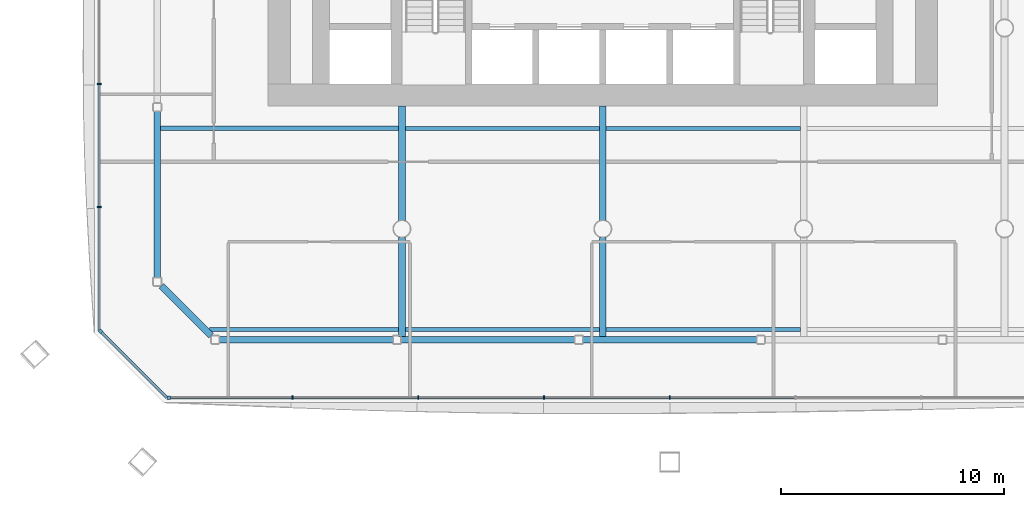
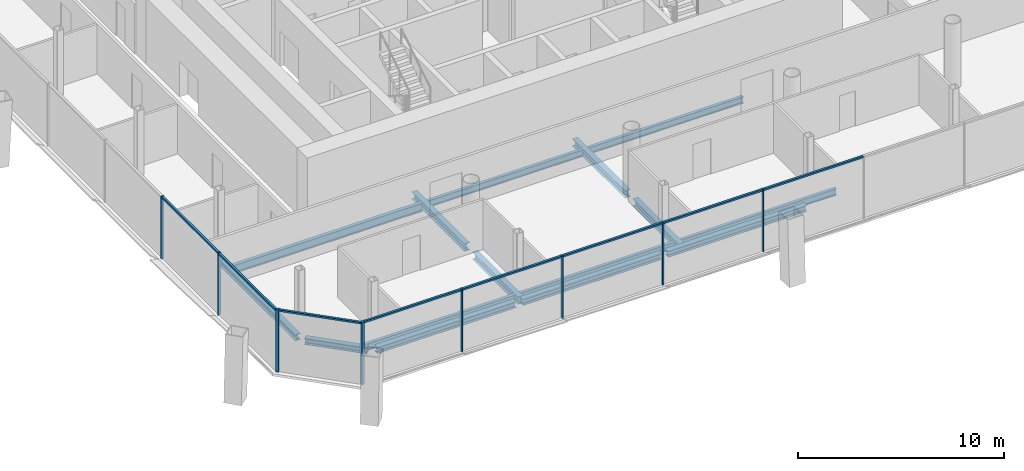
# One storey, part 4 of 20: 16 members, 15 beams, 3 elements without a shape of their own.
"""IFC4 building model written with IfcOpenShell, lengths in metres."""

import ifcopenshell
import ifcopenshell.guid

model = None  # the IFC model being written
_history = None  # IfcOwnerHistory: only IFC2X3 demands one
_inside = {}  # id of a spatial element -> (the spatial element, [elements in it])
_under = {}  # id of a project, library or spatial element -> (it, [spatial elements below it])
_declared = {}  # id of a project -> (the project, [libraries it declares])
_typed = {}  # id of a type object -> (the type object, [elements of that type])
_made_of = {}  # id of a material, layer set ... -> (it, [elements and type objects made of it])


def new_model(schema):
    """Start an empty IFC model of exactly this schema.

    Asked for "IFC4X3", IfcOpenShell would pick the latest addendum, in which some entities
    have other attributes; the version numbers below select the first issue.
    IFC2X3 requires an IfcOwnerHistory on every rooted entity: one is made here for all.
    """
    global model, _history
    if schema == "IFC4X3":
        model = ifcopenshell.file(schema_version=(4, 3, 0, 0))
    else:
        model = ifcopenshell.file(schema=schema)
    _inside.clear()
    _under.clear()
    _declared.clear()
    _typed.clear()
    _made_of.clear()
    _history = None
    if model.schema == "IFC2X3":
        org = make("IfcOrganization", Name="unknown")
        user = make(
            "IfcPersonAndOrganization",
            ThePerson=make("IfcPerson", FamilyName="unknown"),
            TheOrganization=org,
        )
        app = make(
            "IfcApplication",
            ApplicationDeveloper=org,
            Version="unknown",
            ApplicationFullName="unknown",
            ApplicationIdentifier="unknown",
        )
        _history = make(
            "IfcOwnerHistory",
            OwningUser=user,
            OwningApplication=app,
            ChangeAction="ADDED",
            CreationDate=0,
        )
    return model


def make(cls, **values):
    """One entity of the class cls with the attributes given. An attribute that is None is left unset."""
    return model.create_entity(
        cls, **{name: value for name, value in values.items() if value is not None}
    )


def rooted(cls, **values):
    """An entity with a GlobalId (a new one), such as an element, a storey or a relation."""
    return make(cls, GlobalId=ifcopenshell.guid.new(), OwnerHistory=_history, **values)


def si_unit(unit_type, name, prefix=None):
    """IfcSIUnit, for example si_unit("LENGTHUNIT", "METRE", prefix="MILLI")."""
    return make("IfcSIUnit", UnitType=unit_type, Prefix=prefix, Name=name)


def assignment(units):
    """IfcUnitAssignment: the units of a project."""
    return None if units is None else make("IfcUnitAssignment", Units=units)


def point(xyz):
    """IfcCartesianPoint."""
    return None if xyz is None else make("IfcCartesianPoint", Coordinates=xyz)


def direction(xyz):
    """IfcDirection."""
    return None if xyz is None else make("IfcDirection", DirectionRatios=xyz)


def frame(location, z_axis=None, x_axis=None):
    """IfcAxis2Placement3D, a coordinate frame: its origin and axes. An axis left out is left unset."""
    return make(
        "IfcAxis2Placement3D",
        Location=point(location),
        Axis=direction(z_axis),
        RefDirection=direction(x_axis),
    )


def frame_2d(location, x_axis=None):
    """IfcAxis2Placement2D, a coordinate frame in the plane: its origin and x axis."""
    return make(
        "IfcAxis2Placement2D", Location=point(location), RefDirection=direction(x_axis)
    )


def origin():
    """The frame at (0, 0, 0) with its axes left unset."""
    return frame((0.0, 0.0, 0.0))


def origin_2d():
    """The frame at (0, 0) in the plane with its x axis left unset."""
    return frame_2d((0.0, 0.0))


def place(relative_to, where):
    """IfcLocalPlacement: puts the frame where relative to a parent placement (None: the world)."""
    return make(
        "IfcLocalPlacement", PlacementRelTo=relative_to, RelativePlacement=where
    )


def context(
    kind, dimensions, precision=None, world=None, true_north=None, identifier=None
):
    """IfcGeometricRepresentationContext, for example the 3D "Model" context."""
    return make(
        "IfcGeometricRepresentationContext",
        ContextIdentifier=identifier,
        ContextType=kind,
        CoordinateSpaceDimension=dimensions,
        Precision=precision,
        WorldCoordinateSystem=world,
        TrueNorth=true_north,
    )


def subcontext(parent, identifier, kind, view, scale=None):
    """IfcGeometricRepresentationSubContext, for example "Body" below "Model"."""
    return make(
        "IfcGeometricRepresentationSubContext",
        ContextIdentifier=identifier,
        ContextType=kind,
        ParentContext=parent,
        TargetScale=scale,
        TargetView=view,
    )


def project(units=None, contexts=None):
    """IfcProject with its units and contexts."""
    return rooted(
        "IfcProject",
        Name="project",
        RepresentationContexts=contexts,
        UnitsInContext=assignment(units),
    )


def spatial(cls, under=None, at=None, **own):
    """A site, building, storey or space (cls), placed at a placement, below another one or the project."""
    s = rooted(cls, ObjectPlacement=at, **own)
    if under is not None:
        _under.setdefault(under.id(), (under, []))[1].append(s)
    return s


def profile(cls, at=None, kind="AREA", **sizes):
    """A parametric profile (cls). Its sizes go by their IFC names, for example OverallWidth=200.0."""
    return make(cls, ProfileType=kind, Position=at, **sizes)


def rectangle(**sizes):
    """IfcRectangleProfileDef."""
    return profile("IfcRectangleProfileDef", **sizes)


def i_section(**sizes):
    """IfcIShapeProfileDef."""
    return profile("IfcIShapeProfileDef", **sizes)


def extrude(swept, where, along, depth):
    """IfcExtrudedAreaSolid: the profile swept, set in the frame where, extruded along a direction by depth."""
    return make(
        "IfcExtrudedAreaSolid",
        SweptArea=swept,
        Position=where,
        ExtrudedDirection=direction(along),
        Depth=depth,
    )


def shape(context_of_items, identifier, shape_type, items):
    """IfcShapeRepresentation: the items that make up one representation, for example the "Body"."""
    return make(
        "IfcShapeRepresentation",
        ContextOfItems=context_of_items,
        RepresentationIdentifier=identifier,
        RepresentationType=shape_type,
        Items=items,
    )


def material(Name=None, Category=None):
    """IfcMaterial."""
    return make("IfcMaterial", Name=Name, Category=Category)


def material_profile(
    of_material, cross_section, Name=None, Category=None, Priority=None
):
    """IfcMaterialProfile: a cross section and its material."""
    return make(
        "IfcMaterialProfile",
        Name=Name,
        Material=of_material,
        Profile=cross_section,
        Priority=Priority,
        Category=Category,
    )


def profile_set(profiles, Name=None, composite=None):
    """IfcMaterialProfileSet."""
    return make(
        "IfcMaterialProfileSet",
        Name=Name,
        MaterialProfiles=profiles,
        CompositeProfile=composite,
    )


def made_of(thing, what):
    """Note that an element or type object is made of a material, layer set ...; save() writes the relation."""
    if what is not None:
        _made_of.setdefault(what.id(), (what, []))[1].append(thing)
    return thing


def type_object(cls, material=None, **own):
    """A type object (cls), such as IfcWallType, which elements share."""
    return made_of(rooted(cls, **own), material)


def element(
    cls,
    number,
    at=None,
    inside=None,
    cuts=None,
    type_object=None,
    material=None,
    context=None,
    identifier="Body",
    shape_type=None,
    held_by="IfcProductDefinitionShape",
    body=None,
    shapes=None,
    **own,
):
    """One element of the class cls, such as IfcWall. Its Tag is "e" and its number.

    at: its placement. inside: the storey or other place that contains it. cuts: it is an
    opening in that element (IfcRelVoidsElement). A single representation is given by context,
    identifier, shape_type and body (its items); several are given by shapes. held_by: the class
    of the entity that holds the representations. save() writes the other relations.
    """
    e = rooted(cls, Tag="e%d" % number, ObjectPlacement=at, **own)
    if body is not None:
        shapes = [shape(context, identifier, shape_type, body)]
    if shapes is not None:
        e.Representation = make(held_by, Representations=shapes)
    if inside is not None:
        _inside.setdefault(inside.id(), (inside, []))[1].append(e)
    if cuts is not None:
        rooted(
            "IfcRelVoidsElement", RelatingBuildingElement=cuts, RelatedOpeningElement=e
        )
    if type_object is not None:
        _typed.setdefault(type_object.id(), (type_object, []))[1].append(e)
    return made_of(e, material)


def aggregate(whole, parts):
    """IfcRelAggregates: a whole, such as a stair, and the parts it consists of."""
    return rooted("IfcRelAggregates", RelatingObject=whole, RelatedObjects=parts)


def save(model, path):
    """Write the relations noted so far, then the file.

    IfcRelAggregates (storeys below a building ...), IfcRelContainedInSpatialStructure (elements
    in a storey), IfcRelDefinesByType, IfcRelAssociatesMaterial and IfcRelDeclares: one each for
    every whole, place, type object, material and project.
    """
    for whole, parts in _under.values():
        aggregate(whole, parts)
    for where, things in _inside.values():
        rooted(
            "IfcRelContainedInSpatialStructure",
            RelatedElements=things,
            RelatingStructure=where,
        )
    for kind, things in _typed.values():
        rooted("IfcRelDefinesByType", RelatedObjects=things, RelatingType=kind)
    for what, things in _made_of.values():
        rooted("IfcRelAssociatesMaterial", RelatedObjects=things, RelatingMaterial=what)
    for by, libraries in _declared.values():
        rooted("IfcRelDeclares", RelatingContext=by, RelatedDefinitions=libraries)
    model.write(path)


model = new_model("IFC4")

# Units and contexts
model_context = context("Model", 3, precision=1e-05, world=origin(), true_north=direction((0.0, 1.0)))
body_context = subcontext(model_context, "Body", "Model", "MODEL_VIEW")
ifc_project = project(units=[si_unit("LENGTHUNIT", "METRE"), si_unit("AREAUNIT", "SQUARE_METRE"), si_unit("VOLUMEUNIT", "CUBIC_METRE"), si_unit("PLANEANGLEUNIT", "RADIAN"), si_unit("MASSUNIT", "GRAM", prefix="KILO")], contexts=[model_context])

# Site, building, storey
site_placement = place(None, origin())
site = spatial("IfcSite", under=ifc_project, at=site_placement, CompositionType="ELEMENT")
building_placement = place(site_placement, origin())
building = spatial("IfcBuilding", under=site, at=building_placement, Name="Tskaro Facet Tower", CompositionType="ELEMENT")
storey_placement = place(building_placement, frame((0.0, 0.0, 66.0)))
storey = spatial("IfcBuildingStorey", under=building, at=storey_placement, Name="L15", CompositionType="ELEMENT", Elevation=66.0)

# Curtain wall, member
ifc_material_1 = material(Name="Bronze anodised aluminium 6063-T6", Category="aluminium")
curtain_wall_type = type_object("IfcCurtainWallType", Name="Bronze office curtain wall (FW1)", PredefinedType="NOTDEFINED", material=ifc_material_1)
curtain_wall_1_placement = place(storey_placement, origin())
curtain_wall_1 = element("IfcCurtainWall", 1, at=curtain_wall_1_placement, inside=storey, type_object=curtain_wall_type, Name="FW1 south facet L15", PredefinedType="NOTDEFINED")
ifc_material_profile_1 = material_profile(ifc_material_1, rectangle(XDim=0.159912109375, YDim=0.159912109375, at=origin_2d()), Name="Corner post 160x160")
ifc_profile_set_1 = profile_set([ifc_material_profile_1], Name="Bronze anodised aluminium 6063-T6")
member_type_1 = type_object("IfcMemberType", Name="FW1 bronze corner post 160x160", PredefinedType="MULLION", material=ifc_profile_set_1)
member_1_placement = place(storey_placement, frame((-19.450927734375, -25.55908203125, 0.0), z_axis=(0.0, 0.0, 1.0), x_axis=(1.0, 0.0, 0.0)))
member_1 = element("IfcMember", 2, at=member_1_placement, type_object=member_type_1, Name="FW1 south corner post", PredefinedType="MULLION", context=body_context, shape_type="SweptSolid", body=[
    extrude(rectangle(XDim=0.159912109375, YDim=0.159912109375, at=origin_2d()), origin(), (0.0, 0.0, 1.0), 3.699951171875),
])

curtain_wall_2_placement = place(storey_placement, origin())
curtain_wall_2 = element("IfcCurtainWall", 3, at=curtain_wall_2_placement, inside=storey, type_object=curtain_wall_type, Name="FW1 south-west facet L15", PredefinedType="NOTDEFINED")
member_2_placement = place(storey_placement, frame((-22.50244140625, -22.587646484375, 0.0), z_axis=(0.0, 0.0, 1.0), x_axis=(0.707106781187, -0.707106781187, 0.0)))
member_2 = element("IfcMember", 4, at=member_2_placement, type_object=member_type_1, Name="FW1 south-west corner post", PredefinedType="MULLION", context=body_context, shape_type="SweptSolid", body=[
    extrude(rectangle(XDim=0.159912109375, YDim=0.159912109375, at=origin_2d()), origin(), (0.0, 0.0, 1.0), 3.699951171875),
])

# Member
ifc_material_profile_2 = material_profile(ifc_material_1, rectangle(XDim=0.06005859375, YDim=0.159912109375, at=origin_2d()), Name="Mullion 60x160")
ifc_profile_set_2 = profile_set([ifc_material_profile_2], Name="Bronze anodised aluminium 6063-T6")
member_type_2 = type_object("IfcMemberType", Name="FW1 bronze mullion 60x160", PredefinedType="MULLION", material=ifc_profile_set_2)
member_3_placement = place(storey_placement, frame((-13.898193359375, -25.55908203125, 0.0), z_axis=(0.0, 0.0, 1.0), x_axis=(1.0, 0.0, 0.0)))
member_3 = element("IfcMember", 5, at=member_3_placement, type_object=member_type_2, Name="FW1 south mullion 1", PredefinedType="MULLION", context=body_context, shape_type="SweptSolid", body=[
    extrude(rectangle(XDim=0.06005859375, YDim=0.159912109375, at=origin_2d()), origin(), (0.0, 0.0, 1.0), 3.699951171875),
])

member_4_placement = place(storey_placement, frame((-8.265380859375, -25.55908203125, 0.0), z_axis=(0.0, 0.0, 1.0), x_axis=(1.0, 0.0, 0.0)))
member_4 = element("IfcMember", 6, at=member_4_placement, type_object=member_type_2, Name="FW1 south mullion 2", PredefinedType="MULLION", context=body_context, shape_type="SweptSolid", body=[
    extrude(rectangle(XDim=0.06005859375, YDim=0.159912109375, at=origin_2d()), origin(), (0.0, 0.0, 1.0), 3.699951171875),
])

member_5_placement = place(storey_placement, frame((-2.6328125, -25.55908203125, 0.0), z_axis=(0.0, 0.0, 1.0), x_axis=(1.0, 0.0, 0.0)))
member_5 = element("IfcMember", 7, at=member_5_placement, type_object=member_type_2, Name="FW1 south mullion 3", PredefinedType="MULLION", context=body_context, shape_type="SweptSolid", body=[
    extrude(rectangle(XDim=0.06005859375, YDim=0.159912109375, at=origin_2d()), origin(), (0.0, 0.0, 1.0), 3.699951171875),
])

member_6_placement = place(storey_placement, frame((3.0, -25.55908203125, 0.0), z_axis=(0.0, 0.0, 1.0), x_axis=(1.0, 0.0, 0.0)))
member_6 = element("IfcMember", 8, at=member_6_placement, type_object=member_type_2, Name="FW1 south mullion 4", PredefinedType="MULLION", context=body_context, shape_type="SweptSolid", body=[
    extrude(rectangle(XDim=0.06005859375, YDim=0.159912109375, at=origin_2d()), origin(), (0.0, 0.0, 1.0), 3.699951171875),
])

# Curtain wall, members
curtain_wall_3_placement = place(storey_placement, origin())
curtain_wall_3 = element("IfcCurtainWall", 9, at=curtain_wall_3_placement, inside=storey, type_object=curtain_wall_type, Name="FW1 west facet L15", PredefinedType="NOTDEFINED")
member_7_placement = place(storey_placement, frame((-22.55908203125, -11.504638671875, 0.0), z_axis=(0.0, 0.0, 1.0), x_axis=(0.0, -1.0, 0.0)))
member_7 = element("IfcMember", 10, at=member_7_placement, type_object=member_type_2, Name="FW1 west mullion 6", PredefinedType="MULLION", context=body_context, shape_type="SweptSolid", body=[
    extrude(rectangle(XDim=0.06005859375, YDim=0.159912109375, at=origin_2d()), origin(), (0.0, 0.0, 1.0), 3.699951171875),
])
member_8_placement = place(storey_placement, frame((-22.55908203125, -17.017822265625, 0.0), z_axis=(0.0, 0.0, 1.0), x_axis=(0.0, -1.0, 0.0)))
member_8 = element("IfcMember", 11, at=member_8_placement, type_object=member_type_2, Name="FW1 west mullion 7", PredefinedType="MULLION", context=body_context, shape_type="SweptSolid", body=[
    extrude(rectangle(XDim=0.06005859375, YDim=0.159912109375, at=origin_2d()), origin(), (0.0, 0.0, 1.0), 3.699951171875),
])

# Member
ifc_material_profile_3 = material_profile(ifc_material_1, rectangle(XDim=0.1201171875, YDim=0.10009765625, at=origin_2d()), Name="Transom 120x100")
ifc_profile_set_3 = profile_set([ifc_material_profile_3], Name="Bronze anodised aluminium 6063-T6")
member_type_3 = type_object("IfcMemberType", Name="FW1 bronze transom 120x100", PredefinedType="USERDEFINED", material=ifc_profile_set_3)
member_9_placement = place(storey_placement, frame((-19.37109375, -25.55908203125, 3.64990234375), z_axis=(1.0, 0.0, 0.0), x_axis=(0.0, 1.0, 0.0)))
member_9 = element("IfcMember", 12, at=member_9_placement, type_object=member_type_3, Name="FW1 south transom 1.1", ObjectType="TRANSOM", PredefinedType="USERDEFINED", context=body_context, shape_type="SweptSolid", body=[
    extrude(rectangle(XDim=0.1201171875, YDim=0.10009765625, at=origin_2d()), origin(), (0.0, 0.0, 1.0), 5.44287109375),
])

member_10_placement = place(storey_placement, frame((-13.8681640625, -25.55908203125, 3.64990234375), z_axis=(1.0, 0.0, 0.0), x_axis=(0.0, 1.0, 0.0)))
member_10 = element("IfcMember", 13, at=member_10_placement, type_object=member_type_3, Name="FW1 south transom 2.1", ObjectType="TRANSOM", PredefinedType="USERDEFINED", context=body_context, shape_type="SweptSolid", body=[
    extrude(rectangle(XDim=0.1201171875, YDim=0.10009765625, at=origin_2d()), origin(), (0.0, 0.0, 1.0), 5.57275390625),
])

member_11_placement = place(storey_placement, frame((-8.235595703125, -25.55908203125, 3.64990234375), z_axis=(1.0, 0.0, 0.0), x_axis=(0.0, 1.0, 0.0)))
member_11 = element("IfcMember", 14, at=member_11_placement, type_object=member_type_3, Name="FW1 south transom 3.1", ObjectType="TRANSOM", PredefinedType="USERDEFINED", context=body_context, shape_type="SweptSolid", body=[
    extrude(rectangle(XDim=0.1201171875, YDim=0.10009765625, at=origin_2d()), origin(), (0.0, 0.0, 1.0), 5.57275390625),
])

member_12_placement = place(storey_placement, frame((-2.602783203125, -25.55908203125, 3.64990234375), z_axis=(1.0, 0.0, 0.0), x_axis=(0.0, 1.0, 0.0)))
member_12 = element("IfcMember", 15, at=member_12_placement, type_object=member_type_3, Name="FW1 south transom 4.1", ObjectType="TRANSOM", PredefinedType="USERDEFINED", context=body_context, shape_type="SweptSolid", body=[
    extrude(rectangle(XDim=0.1201171875, YDim=0.10009765625, at=origin_2d()), origin(), (0.0, 0.0, 1.0), 5.57275390625),
])

member_13_placement = place(storey_placement, frame((3.030029296875, -25.55908203125, 3.64990234375), z_axis=(1.0, 0.0, 0.0), x_axis=(0.0, 1.0, 0.0)))
member_13 = element("IfcMember", 16, at=member_13_placement, type_object=member_type_3, Name="FW1 south transom 5.1", ObjectType="TRANSOM", PredefinedType="USERDEFINED", context=body_context, shape_type="SweptSolid", body=[
    extrude(rectangle(XDim=0.1201171875, YDim=0.10009765625, at=origin_2d()), origin(), (0.0, 0.0, 1.0), 5.57275390625),
])

aggregate(curtain_wall_1, [member_1, member_3, member_4, member_5, member_6, member_9, member_10, member_11, member_12, member_13])

member_14_placement = place(storey_placement, frame((-22.55908203125, -11.53466796875, 3.64990234375), z_axis=(0.0, -1.0, 0.0), x_axis=(1.0, 0.0, 0.0)))
member_14 = element("IfcMember", 17, at=member_14_placement, type_object=member_type_3, Name="FW1 west transom 7.1", ObjectType="TRANSOM", PredefinedType="USERDEFINED", context=body_context, shape_type="SweptSolid", body=[
    extrude(rectangle(XDim=0.1201171875, YDim=0.10009765625, at=origin_2d()), origin(), (0.0, 0.0, 1.0), 5.453125),
])

member_15_placement = place(storey_placement, frame((-22.55908203125, -17.0478515625, 3.64990234375), z_axis=(0.0, -1.0, 0.0), x_axis=(1.0, 0.0, 0.0)))
member_15 = element("IfcMember", 18, at=member_15_placement, type_object=member_type_3, Name="FW1 west transom 8.1", ObjectType="TRANSOM", PredefinedType="USERDEFINED", context=body_context, shape_type="SweptSolid", body=[
    extrude(rectangle(XDim=0.1201171875, YDim=0.10009765625, at=origin_2d()), origin(), (0.0, 0.0, 1.0), 5.483154296875),
])

aggregate(curtain_wall_3, [member_7, member_8, member_14, member_15])

member_16_placement = place(storey_placement, frame((-22.44580078125, -22.64404296875, 3.64990234375), z_axis=(0.70707716849, -0.707136392643, 0.0), x_axis=(0.707136392643, 0.70707716849, 0.0)))
member_16 = element("IfcMember", 19, at=member_16_placement, type_object=member_type_3, Name="FW1 south-west transom 1.1", ObjectType="TRANSOM", PredefinedType="USERDEFINED", context=body_context, shape_type="SweptSolid", body=[
    extrude(rectangle(XDim=0.1201171875, YDim=0.10009765625, at=origin_2d()), origin(), (0.0, 0.0, 1.0), 4.122314453125),
])

aggregate(curtain_wall_2, [member_2, member_16])

# Beams
ifc_material_2 = material(Name="Steel S355J2", Category="steel")
ifc_material_profile_4 = material_profile(ifc_material_2, i_section(OverallWidth=0.300048828125, OverallDepth=0.360107421875, WebThickness=0.012451171875, FlangeThickness=0.0224609375, FilletRadius=0.027099609375, at=origin_2d()), Name="HE 360 B")
ifc_profile_set_4 = profile_set([ifc_material_profile_4], Name="Steel S355J2")
beam_type_1 = type_object("IfcBeamType", Name="HE 360 B ring beam", PredefinedType="BEAM", material=ifc_profile_set_4)
beam_1_placement = place(storey_placement, frame((-17.18408203125, -22.965087890625, -0.320068359375), z_axis=(1.0, 0.0, 0.0), x_axis=(0.0, 1.0, 0.0)))
element("IfcBeam", 20, at=beam_1_placement, inside=storey, type_object=beam_type_1, Name="HE 360 B EB1-2", PredefinedType="BEAM", context=body_context, shape_type="SweptSolid", body=[
    extrude(i_section(OverallWidth=0.300048828125, OverallDepth=0.360107421875, WebThickness=0.012451171875, FlangeThickness=0.0224609375, FilletRadius=0.027099609375, at=origin_2d()), origin(), (0.0, 0.0, 1.0), 7.7861328125),
])
beam_2_placement = place(storey_placement, frame((-9.0380859375, -22.965087890625, -0.320068359375), z_axis=(1.0, 0.0, 0.0), x_axis=(0.0, 1.0, 0.0)))
element("IfcBeam", 21, at=beam_2_placement, inside=storey, type_object=beam_type_1, Name="HE 360 B EB2-2", PredefinedType="BEAM", context=body_context, shape_type="SweptSolid", body=[
    extrude(i_section(OverallWidth=0.300048828125, OverallDepth=0.360107421875, WebThickness=0.012451171875, FlangeThickness=0.0224609375, FilletRadius=0.027099609375, at=origin_2d()), origin(), (0.0, 0.0, 1.0), 7.78515625),
])
beam_3_placement = place(storey_placement, frame((-0.89306640625, -22.965087890625, -0.320068359375), z_axis=(1.0, 0.0, 0.0), x_axis=(0.0, 1.0, 0.0)))
element("IfcBeam", 22, at=beam_3_placement, inside=storey, type_object=beam_type_1, Name="HE 360 B EB3-2", PredefinedType="BEAM", context=body_context, shape_type="SweptSolid", body=[
    extrude(i_section(OverallWidth=0.300048828125, OverallDepth=0.360107421875, WebThickness=0.012451171875, FlangeThickness=0.0224609375, FilletRadius=0.027099609375, at=origin_2d()), origin(), (0.0, 0.0, 1.0), 7.7861328125),
])
beam_4_placement = place(storey_placement, frame((-19.965087890625, -12.73291015625, -0.320068359375), z_axis=(0.0, -1.0, 0.0), x_axis=(1.0, 0.0, 0.0)))
element("IfcBeam", 23, at=beam_4_placement, inside=storey, type_object=beam_type_1, Name="HE 360 B EB23-2", PredefinedType="BEAM", context=body_context, shape_type="SweptSolid", body=[
    extrude(i_section(OverallWidth=0.300048828125, OverallDepth=0.360107421875, WebThickness=0.012451171875, FlangeThickness=0.0224609375, FilletRadius=0.027099609375, at=origin_2d()), origin(), (0.0, 0.0, 1.0), 7.451171875),
])
beam_5_placement = place(storey_placement, frame((-19.779052734375, -20.5498046875, -0.320068359375), z_axis=(0.707106781187, -0.707106781187, 0.0), x_axis=(0.707106781187, 0.707106781187, 0.0)))
element("IfcBeam", 24, at=beam_5_placement, inside=storey, type_object=beam_type_1, Name="HE 360 B EB24-2", PredefinedType="BEAM", context=body_context, shape_type="SweptSolid", body=[
    extrude(i_section(OverallWidth=0.300048828125, OverallDepth=0.360107421875, WebThickness=0.012451171875, FlangeThickness=0.0224609375, FilletRadius=0.027099609375, at=origin_2d()), origin(), (0.0, 0.0, 1.0), 3.152587890625),
])
ifc_material_profile_5 = material_profile(ifc_material_2, i_section(OverallWidth=0.300048828125, OverallDepth=0.43994140625, WebThickness=0.011474609375, FlangeThickness=0.02099609375, FilletRadius=0.027099609375, at=origin_2d()), Name="HE 450 A")
ifc_profile_set_5 = profile_set([ifc_material_profile_5], Name="Steel S355J2")
beam_type_2 = type_object("IfcBeamType", Name="HE 450 A girder", PredefinedType="BEAM", material=ifc_profile_set_5)
beam_6_placement = place(storey_placement, frame((-9.0, -22.81494140625, -0.360107421875), z_axis=(0.0, 1.0, 0.0), x_axis=(-1.0, 0.0, 0.0)))
element("IfcBeam", 25, at=beam_6_placement, inside=storey, type_object=beam_type_2, Name="HE 450 A GB3-1-2", PredefinedType="BEAM", context=body_context, shape_type="SweptSolid", body=[
    extrude(i_section(OverallWidth=0.300048828125, OverallDepth=0.43994140625, WebThickness=0.011474609375, FlangeThickness=0.02099609375, FilletRadius=0.027099609375, at=origin_2d()), origin(), (0.0, 0.0, 1.0), 4.4384765625),
])
beam_7_placement = place(storey_placement, frame((-9.0, -17.62353515625, -0.360107421875), z_axis=(0.0, 1.0, 0.0), x_axis=(-1.0, 0.0, 0.0)))
element("IfcBeam", 26, at=beam_7_placement, inside=storey, type_object=beam_type_2, Name="HE 450 A GB3-2-2", PredefinedType="BEAM", context=body_context, shape_type="SweptSolid", body=[
    extrude(i_section(OverallWidth=0.300048828125, OverallDepth=0.43994140625, WebThickness=0.011474609375, FlangeThickness=0.02099609375, FilletRadius=0.027099609375, at=origin_2d()), origin(), (0.0, 0.0, 1.0), 5.12353515625),
])
beam_8_placement = place(storey_placement, frame((0.0, -22.81494140625, -0.360107421875), z_axis=(0.0, 1.0, 0.0), x_axis=(-1.0, 0.0, 0.0)))
element("IfcBeam", 27, at=beam_8_placement, inside=storey, type_object=beam_type_2, Name="HE 450 A GB4-1-2", PredefinedType="BEAM", context=body_context, shape_type="SweptSolid", body=[
    extrude(i_section(OverallWidth=0.300048828125, OverallDepth=0.43994140625, WebThickness=0.011474609375, FlangeThickness=0.02099609375, FilletRadius=0.027099609375, at=origin_2d()), origin(), (0.0, 0.0, 1.0), 4.4384765625),
])
beam_9_placement = place(storey_placement, frame((0.0, -17.62353515625, -0.360107421875), z_axis=(0.0, 1.0, 0.0), x_axis=(-1.0, 0.0, 0.0)))
element("IfcBeam", 28, at=beam_9_placement, inside=storey, type_object=beam_type_2, Name="HE 450 A GB4-2-2", PredefinedType="BEAM", context=body_context, shape_type="SweptSolid", body=[
    extrude(i_section(OverallWidth=0.300048828125, OverallDepth=0.43994140625, WebThickness=0.011474609375, FlangeThickness=0.02099609375, FilletRadius=0.027099609375, at=origin_2d()), origin(), (0.0, 0.0, 1.0), 5.12353515625),
])
ifc_material_profile_6 = material_profile(ifc_material_2, i_section(OverallWidth=0.179931640625, OverallDepth=0.39990234375, WebThickness=0.008544921875, FlangeThickness=0.013427734375, FilletRadius=0.02099609375, at=origin_2d()), Name="IPE 400")
ifc_profile_set_6 = profile_set([ifc_material_profile_6], Name="Steel S355J2")
beam_type_3 = type_object("IfcBeamType", Name="IPE 400 secondary beam", PredefinedType="BEAM", material=ifc_profile_set_6)
beam_10_placement = place(storey_placement, frame((-17.616943359375, -22.5, -0.340087890625), z_axis=(1.0, 0.0, 0.0), x_axis=(0.0, 1.0, 0.0)))
element("IfcBeam", 29, at=beam_10_placement, inside=storey, type_object=beam_type_3, Name="IPE 400 SB1a-1-2", PredefinedType="BEAM", context=body_context, shape_type="SweptSolid", body=[
    extrude(i_section(OverallWidth=0.179931640625, OverallDepth=0.39990234375, WebThickness=0.008544921875, FlangeThickness=0.013427734375, FilletRadius=0.02099609375, at=origin_2d()), origin(), (0.0, 0.0, 1.0), 8.467041015625),
])
for number, where, z_axis, x_axis, name in (
    (30, (-8.85009765625, -22.5, -0.340087890625), (1.0, 0.0, 0.0), (0.0, 1.0, 0.0), "IPE 400 SB1a-2-2"),
    (31, (0.14990234375, -22.5, -0.340087890625), (1.0, 0.0, 0.0), (0.0, 1.0, 0.0), "IPE 400 SB1a-3-2"),
    (32, (-8.85009765625, -13.5, -0.340087890625), (1.0, 0.0, 0.0), (0.0, 1.0, 0.0), "IPE 400 SB2a-2-2"),
    (33, (0.14990234375, -13.5, -0.340087890625), (1.0, 0.0, 0.0), (0.0, 1.0, 0.0), "IPE 400 SB2a-3-2"),
):
    element("IfcBeam", number, at=place(storey_placement, frame(where, z_axis=z_axis, x_axis=x_axis)), inside=storey, type_object=beam_type_3, Name=name, PredefinedType="BEAM", context=body_context, shape_type="SweptSolid", body=[
        extrude(i_section(OverallWidth=0.179931640625, OverallDepth=0.39990234375, WebThickness=0.008544921875, FlangeThickness=0.013427734375, FilletRadius=0.02099609375, at=origin_2d()), origin(), (0.0, 0.0, 1.0), 8.7001953125),
    ])
ifc_material_profile_7 = material_profile(ifc_material_2, i_section(OverallWidth=0.199951171875, OverallDepth=0.5, WebThickness=0.01025390625, FlangeThickness=0.01611328125, FilletRadius=0.02099609375, at=origin_2d()), Name="IPE 500")
ifc_profile_set_7 = profile_set([ifc_material_profile_7], Name="Steel S355J2")
beam_type_4 = type_object("IfcBeamType", Name="IPE 500 long secondary beam", PredefinedType="BEAM", material=ifc_profile_set_7)
beam_11_placement = place(storey_placement, frame((-19.81494140625, -13.5, -0.389892578125), z_axis=(1.0, 0.0, 0.0), x_axis=(0.0, 1.0, 0.0)))
element("IfcBeam", 34, at=beam_11_placement, inside=storey, type_object=beam_type_4, Name="IPE 500 LSB2a-1-2", PredefinedType="BEAM", context=body_context, shape_type="SweptSolid", body=[
    extrude(i_section(OverallWidth=0.199951171875, OverallDepth=0.5, WebThickness=0.01025390625, FlangeThickness=0.01611328125, FilletRadius=0.02099609375, at=origin_2d()), origin(), (0.0, 0.0, 1.0), 10.6650390625),
])

save(model, "model.ifc")
